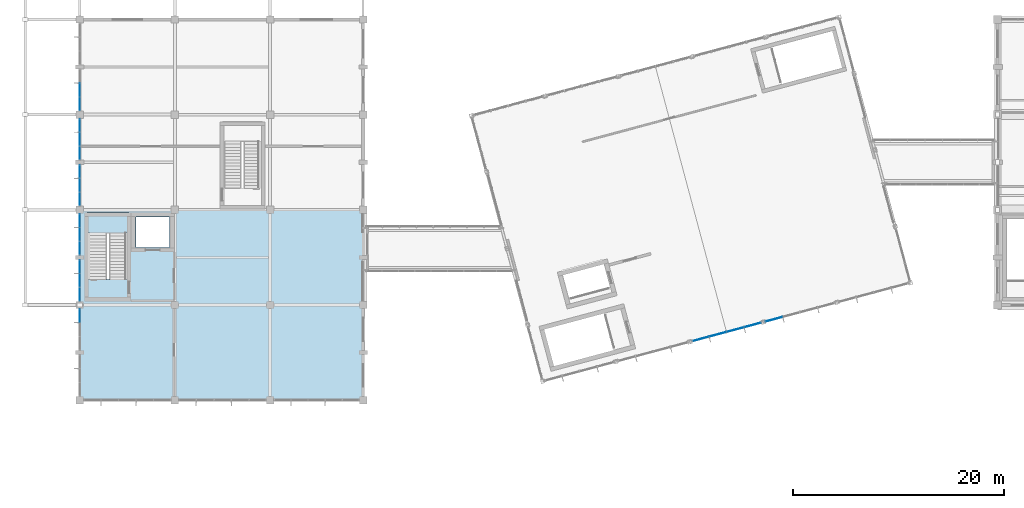
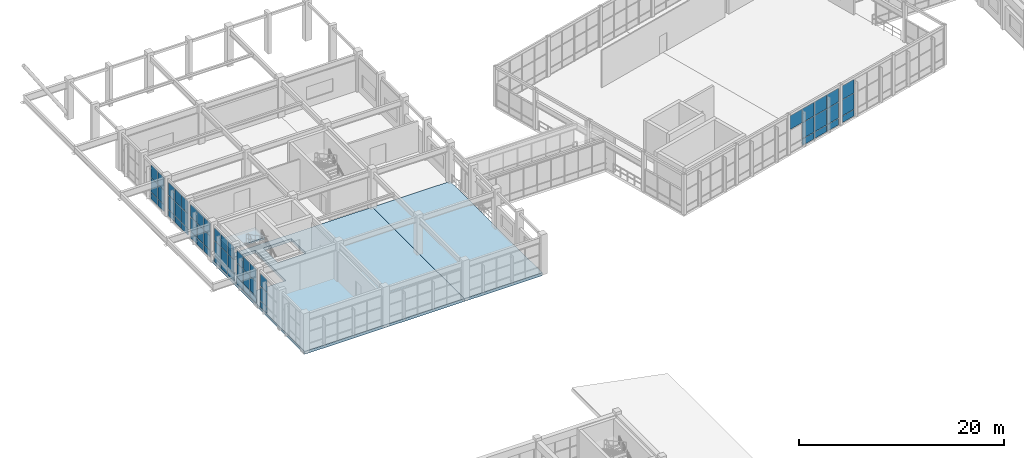
# One storey, part 72 of 99: 58 plates, 3 slabs, 9 elements without a shape of their own.
"""IFC4 building model written with IfcOpenShell, lengths in metres."""

from ifc_helpers import new_model, si_unit, direction, frame, origin, origin_2d, place, context, subcontext, project, spatial, polyline, rectangle, outline, extrude, material, layer, layer_set, type_object, element, aggregate, save


model = new_model("IFC4")

# Units and contexts
model_context = context("Model", 3, precision=1e-05, world=origin(), true_north=direction((0.0, 1.0)))
body_context = subcontext(model_context, "Body", "Model", "MODEL_VIEW")
ifc_project = project(units=[si_unit("LENGTHUNIT", "METRE"), si_unit("AREAUNIT", "SQUARE_METRE"), si_unit("VOLUMEUNIT", "CUBIC_METRE"), si_unit("PLANEANGLEUNIT", "RADIAN"), si_unit("MASSUNIT", "GRAM", prefix="KILO")], contexts=[model_context])

# Site, building, storey
site_placement = place(None, origin())
site = spatial("IfcSite", under=ifc_project, at=site_placement, CompositionType="ELEMENT")
building_placement = place(site_placement, origin())
building = spatial("IfcBuilding", under=site, at=building_placement, Name="Ventoquebrada Cableway Terminal", CompositionType="ELEMENT")
storey_placement = place(building_placement, frame((0.0, 0.0, 9.60009765625)))
storey = spatial("IfcBuildingStorey", under=building, at=storey_placement, Name="L02", CompositionType="ELEMENT", Elevation=9.60009765625)

# Curtain wall, plate
ifc_material_1 = material(Name="Anodized thermally-broken aluminium", Category="aluminium")
ifc_layer_1 = layer(ifc_material_1, 0.159912109375)
ifc_layer_set_1 = layer_set([ifc_layer_1], Name="Anodized thermally-broken aluminium")
curtain_wall_type_1 = type_object("IfcCurtainWallType", Name="CW-T17", PredefinedType="USERDEFINED", material=ifc_layer_set_1)
curtain_wall_1_placement = place(storey_placement, origin())
curtain_wall_1 = element("IfcCurtainWall", 1, at=curtain_wall_1_placement, inside=storey, type_object=curtain_wall_type_1, Name="Unitised glazed curtain wall CW-043", ObjectType="UNITISED CURTAIN WALL", PredefinedType="USERDEFINED")
ifc_material_2 = material(Name="Double low-e laminated safety glazing", Category="glass")
ifc_layer_2 = layer(ifc_material_2, 0.031982421875)
ifc_layer_set_2 = layer_set([ifc_layer_2], Name="Double low-e laminated safety glazing")
plate_type_1 = type_object("IfcPlateType", Name="CWP-GL1", PredefinedType="CURTAIN_PANEL", material=ifc_layer_set_2)
plate_1_placement = place(storey_placement, frame((8.199951171875, 75.969970703125, 2.603271484375), z_axis=(0.0, 0.0, 1.0), x_axis=(0.0, -1.0, 0.0)))
plate_1 = element("IfcPlate", 2, at=plate_1_placement, type_object=plate_type_1, Name="Vision glazing panel PN-0440", PredefinedType="CURTAIN_PANEL", context=body_context, shape_type="SweptSolid", body=[
    extrude(rectangle(XDim=1.22900390625, YDim=0.031982421875, at=origin_2d()), origin(), (0.0, 0.0, 1.0), 1.4970703125),
])

# Curtain wall, plates
curtain_wall_2_placement = place(storey_placement, origin())
curtain_wall_2 = element("IfcCurtainWall", 3, at=curtain_wall_2_placement, inside=storey, type_object=curtain_wall_type_1, Name="Unitised glazed curtain wall CW-045", ObjectType="UNITISED CURTAIN WALL", PredefinedType="USERDEFINED")
plate_2_placement = place(storey_placement, frame((8.199951171875, 84.969970703125, 2.603271484375), z_axis=(0.0, 0.0, 1.0), x_axis=(0.0, -1.0, 0.0)))
plate_2 = element("IfcPlate", 4, at=plate_2_placement, type_object=plate_type_1, Name="Vision glazing panel PN-0458", PredefinedType="CURTAIN_PANEL", context=body_context, shape_type="SweptSolid", body=[
    extrude(rectangle(XDim=1.22900390625, YDim=0.031982421875, at=origin_2d()), origin(), (0.0, 0.0, 1.0), 1.4970703125),
])
plate_3_placement = place(storey_placement, frame((8.199951171875, 83.675048828125, 0.8740234375), z_axis=(0.0, 0.0, 1.0), x_axis=(0.0, -1.0, 0.0)))
plate_3 = element("IfcPlate", 5, at=plate_3_placement, type_object=plate_type_1, Name="Vision glazing panel PN-0460", PredefinedType="CURTAIN_PANEL", context=body_context, shape_type="SweptSolid", body=[
    extrude(rectangle(XDim=1.263916015625, YDim=0.031982421875, at=origin_2d()), origin(), (0.0, 0.0, 1.0), 1.679931640625),
])
plate_4_placement = place(storey_placement, frame((8.199951171875, 82.37890625, 2.603271484375), z_axis=(0.0, 0.0, 1.0), x_axis=(0.0, -1.0, 0.0)))
plate_4 = element("IfcPlate", 6, at=plate_4_placement, type_object=plate_type_1, Name="Vision glazing panel PN-0464", PredefinedType="CURTAIN_PANEL", context=body_context, shape_type="SweptSolid", body=[
    extrude(rectangle(XDim=1.22900390625, YDim=0.031982421875, at=origin_2d()), origin(), (0.0, 0.0, 1.0), 1.4970703125),
])

curtain_wall_3_placement = place(storey_placement, origin())
curtain_wall_3 = element("IfcCurtainWall", 7, at=curtain_wall_3_placement, inside=storey, type_object=curtain_wall_type_1, Name="Unitised glazed curtain wall CW-046", ObjectType="UNITISED CURTAIN WALL", PredefinedType="USERDEFINED")
plate_5_placement = place(storey_placement, frame((8.199951171875, 80.62109375, 2.603271484375), z_axis=(0.0, 0.0, 1.0), x_axis=(0.0, -1.0, 0.0)))
plate_5 = element("IfcPlate", 8, at=plate_5_placement, type_object=plate_type_1, Name="Vision glazing panel PN-0467", PredefinedType="CURTAIN_PANEL", context=body_context, shape_type="SweptSolid", body=[
    extrude(rectangle(XDim=1.22900390625, YDim=0.031982421875, at=origin_2d()), origin(), (0.0, 0.0, 1.0), 1.4970703125),
])
plate_6_placement = place(storey_placement, frame((8.199951171875, 79.324951171875, 0.8740234375), z_axis=(0.0, 0.0, 1.0), x_axis=(0.0, -1.0, 0.0)))
plate_6 = element("IfcPlate", 9, at=plate_6_placement, type_object=plate_type_1, Name="Vision glazing panel PN-0469", PredefinedType="CURTAIN_PANEL", context=body_context, shape_type="SweptSolid", body=[
    extrude(rectangle(XDim=1.263916015625, YDim=0.031982421875, at=origin_2d()), origin(), (0.0, 0.0, 1.0), 1.679931640625),
])
plate_7_placement = place(storey_placement, frame((8.199951171875, 78.030029296875, 2.603271484375), z_axis=(0.0, 0.0, 1.0), x_axis=(0.0, -1.0, 0.0)))
plate_7 = element("IfcPlate", 10, at=plate_7_placement, type_object=plate_type_1, Name="Vision glazing panel PN-0473", PredefinedType="CURTAIN_PANEL", context=body_context, shape_type="SweptSolid", body=[
    extrude(rectangle(XDim=1.22900390625, YDim=0.031982421875, at=origin_2d()), origin(), (0.0, 0.0, 1.0), 1.4970703125),
])

curtain_wall_4_placement = place(storey_placement, origin())
curtain_wall_4 = element("IfcCurtainWall", 11, at=curtain_wall_4_placement, inside=storey, type_object=curtain_wall_type_1, Name="Unitised glazed curtain wall CW-047", ObjectType="UNITISED CURTAIN WALL", PredefinedType="USERDEFINED")
plate_8_placement = place(storey_placement, frame((8.199951171875, 93.969970703125, 2.603271484375), z_axis=(0.0, 0.0, 1.0), x_axis=(0.0, -1.0, 0.0)))
plate_8 = element("IfcPlate", 12, at=plate_8_placement, type_object=plate_type_1, Name="Vision glazing panel PN-0476", PredefinedType="CURTAIN_PANEL", context=body_context, shape_type="SweptSolid", body=[
    extrude(rectangle(XDim=1.22900390625, YDim=0.031982421875, at=origin_2d()), origin(), (0.0, 0.0, 1.0), 1.4970703125),
])
plate_9_placement = place(storey_placement, frame((8.199951171875, 92.675048828125, 0.8740234375), z_axis=(0.0, 0.0, 1.0), x_axis=(0.0, -1.0, 0.0)))
plate_9 = element("IfcPlate", 13, at=plate_9_placement, type_object=plate_type_1, Name="Vision glazing panel PN-0478", PredefinedType="CURTAIN_PANEL", context=body_context, shape_type="SweptSolid", body=[
    extrude(rectangle(XDim=1.263916015625, YDim=0.031982421875, at=origin_2d()), origin(), (0.0, 0.0, 1.0), 1.679931640625),
])
plate_10_placement = place(storey_placement, frame((8.199951171875, 91.37890625, 2.603271484375), z_axis=(0.0, 0.0, 1.0), x_axis=(0.0, -1.0, 0.0)))
plate_10 = element("IfcPlate", 14, at=plate_10_placement, type_object=plate_type_1, Name="Vision glazing panel PN-0482", PredefinedType="CURTAIN_PANEL", context=body_context, shape_type="SweptSolid", body=[
    extrude(rectangle(XDim=1.22900390625, YDim=0.031982421875, at=origin_2d()), origin(), (0.0, 0.0, 1.0), 1.4970703125),
])

curtain_wall_5_placement = place(storey_placement, origin())
curtain_wall_5 = element("IfcCurtainWall", 15, at=curtain_wall_5_placement, inside=storey, type_object=curtain_wall_type_1, Name="Unitised glazed curtain wall CW-048", ObjectType="UNITISED CURTAIN WALL", PredefinedType="USERDEFINED")
plate_11_placement = place(storey_placement, frame((8.199951171875, 89.62109375, 2.603271484375), z_axis=(0.0, 0.0, 1.0), x_axis=(0.0, -1.0, 0.0)))
plate_11 = element("IfcPlate", 16, at=plate_11_placement, type_object=plate_type_1, Name="Vision glazing panel PN-0485", PredefinedType="CURTAIN_PANEL", context=body_context, shape_type="SweptSolid", body=[
    extrude(rectangle(XDim=1.22900390625, YDim=0.031982421875, at=origin_2d()), origin(), (0.0, 0.0, 1.0), 1.4970703125),
])
plate_12_placement = place(storey_placement, frame((8.199951171875, 88.324951171875, 0.8740234375), z_axis=(0.0, 0.0, 1.0), x_axis=(0.0, -1.0, 0.0)))
plate_12 = element("IfcPlate", 17, at=plate_12_placement, type_object=plate_type_1, Name="Vision glazing panel PN-0487", PredefinedType="CURTAIN_PANEL", context=body_context, shape_type="SweptSolid", body=[
    extrude(rectangle(XDim=1.263916015625, YDim=0.031982421875, at=origin_2d()), origin(), (0.0, 0.0, 1.0), 1.679931640625),
])
plate_13_placement = place(storey_placement, frame((8.199951171875, 87.030029296875, 2.603271484375), z_axis=(0.0, 0.0, 1.0), x_axis=(0.0, -1.0, 0.0)))
plate_13 = element("IfcPlate", 18, at=plate_13_placement, type_object=plate_type_1, Name="Vision glazing panel PN-0491", PredefinedType="CURTAIN_PANEL", context=body_context, shape_type="SweptSolid", body=[
    extrude(rectangle(XDim=1.22900390625, YDim=0.031982421875, at=origin_2d()), origin(), (0.0, 0.0, 1.0), 1.4970703125),
])

curtain_wall_6_placement = place(storey_placement, origin())
curtain_wall_6 = element("IfcCurtainWall", 19, at=curtain_wall_6_placement, inside=storey, type_object=curtain_wall_type_1, Name="Unitised glazed curtain wall CW-050", ObjectType="UNITISED CURTAIN WALL", PredefinedType="USERDEFINED")
plate_14_placement = place(storey_placement, frame((8.199951171875, 97.324951171875, 0.8740234375), z_axis=(0.0, 0.0, 1.0), x_axis=(0.0, -1.0, 0.0)))
plate_14 = element("IfcPlate", 20, at=plate_14_placement, type_object=plate_type_1, Name="Vision glazing panel PN-0505", PredefinedType="CURTAIN_PANEL", context=body_context, shape_type="SweptSolid", body=[
    extrude(rectangle(XDim=1.263916015625, YDim=0.031982421875, at=origin_2d()), origin(), (0.0, 0.0, 1.0), 1.679931640625),
])
plate_15_placement = place(storey_placement, frame((8.199951171875, 96.030029296875, 2.603271484375), z_axis=(0.0, 0.0, 1.0), x_axis=(0.0, -1.0, 0.0)))
plate_15 = element("IfcPlate", 21, at=plate_15_placement, type_object=plate_type_1, Name="Vision glazing panel PN-0509", PredefinedType="CURTAIN_PANEL", context=body_context, shape_type="SweptSolid", body=[
    extrude(rectangle(XDim=1.22900390625, YDim=0.031982421875, at=origin_2d()), origin(), (0.0, 0.0, 1.0), 1.4970703125),
])

ifc_layer_3 = layer(ifc_material_1, 0.159912109375)
ifc_layer_set_3 = layer_set([ifc_layer_3], Name="Anodized thermally-broken aluminium")
curtain_wall_type_2 = type_object("IfcCurtainWallType", Name="CW-T40", PredefinedType="USERDEFINED", material=ifc_layer_set_3)
curtain_wall_7_placement = place(storey_placement, origin())
curtain_wall_7 = element("IfcCurtainWall", 22, at=curtain_wall_7_placement, inside=storey, type_object=curtain_wall_type_2, Name="Unitised glazed curtain wall CW-103", ObjectType="UNITISED CURTAIN WALL", PredefinedType="USERDEFINED")
plate_16_placement = place(storey_placement, frame((66.904052734375, 73.783935546875, 2.808837890625), z_axis=(0.0, 0.0, 1.0), x_axis=(0.965939376699, 0.25876846899, 0.0)))
plate_16 = element("IfcPlate", 23, at=plate_16_placement, type_object=plate_type_1, Name="Vision glazing panel PN-1073", PredefinedType="CURTAIN_PANEL", context=body_context, shape_type="SweptSolid", body=[
    extrude(rectangle(XDim=1.615966796875, YDim=0.031982421875, at=origin_2d()), origin(), (0.0, 0.0, 1.0), 1.6220703125),
])
plate_17_placement = place(storey_placement, frame((68.5380859375, 74.221923828125, 0.87451171875), z_axis=(0.0, 0.0, 1.0), x_axis=(0.965939376699, 0.25876846899, 0.0)))
plate_17 = element("IfcPlate", 24, at=plate_17_placement, type_object=plate_type_1, Name="Vision glazing panel PN-1075", PredefinedType="CURTAIN_PANEL", context=body_context, shape_type="SweptSolid", body=[
    extrude(rectangle(XDim=1.65087890625, YDim=0.031982421875, at=origin_2d()), origin(), (0.0, 0.0, 1.0), 1.885009765625),
])
plate_18_placement = place(storey_placement, frame((70.19091796875, 74.6640625, 2.808837890625), z_axis=(0.0, 0.0, 1.0), x_axis=(0.965939376699, 0.25876846899, 0.0)))
plate_18 = element("IfcPlate", 25, at=plate_18_placement, type_object=plate_type_1, Name="Vision glazing panel PN-1079", PredefinedType="CURTAIN_PANEL", context=body_context, shape_type="SweptSolid", body=[
    extrude(rectangle(XDim=1.65087890625, YDim=0.031982421875, at=origin_2d()), origin(), (0.0, 0.0, 1.0), 1.6220703125),
])
plate_19_placement = place(storey_placement, frame((71.825927734375, 75.10302734375, 0.87451171875), z_axis=(0.0, 0.0, 1.0), x_axis=(0.965939376699, 0.25876846899, 0.0)))
plate_19 = element("IfcPlate", 26, at=plate_19_placement, type_object=plate_type_1, Name="Vision glazing panel PN-1081", PredefinedType="CURTAIN_PANEL", context=body_context, shape_type="SweptSolid", body=[
    extrude(rectangle(XDim=1.615966796875, YDim=0.031982421875, at=origin_2d()), origin(), (0.0, 0.0, 1.0), 1.885009765625),
])

# Curtain wall, plate
curtain_wall_8_placement = place(storey_placement, origin())
curtain_wall_8 = element("IfcCurtainWall", 27, at=curtain_wall_8_placement, inside=storey, type_object=curtain_wall_type_2, Name="Unitised glazed curtain wall CW-104", ObjectType="UNITISED CURTAIN WALL", PredefinedType="USERDEFINED")
plate_20_placement = place(storey_placement, frame((73.85791015625, 75.64697265625, 2.808837890625), z_axis=(0.0, 0.0, 1.0), x_axis=(0.965975498177, 0.258633595888, 0.0)))
plate_20 = element("IfcPlate", 28, at=plate_20_placement, type_object=plate_type_1, Name="Vision glazing panel PN-1085", PredefinedType="CURTAIN_PANEL", context=body_context, shape_type="SweptSolid", body=[
    extrude(rectangle(XDim=1.615966796875, YDim=0.031982421875, at=origin_2d()), origin(), (0.0, 0.0, 1.0), 1.6220703125),
])

# Plate
ifc_layer_4 = layer(ifc_material_2, 0.0380859375)
ifc_layer_set_4 = layer_set([ifc_layer_4], Name="Double low-e laminated safety glazing")
plate_type_2 = type_object("IfcPlateType", Name="CWP-GL2", PredefinedType="CURTAIN_PANEL", material=ifc_layer_set_4)
plate_21_placement = place(storey_placement, frame((8.199951171875, 75.969970703125, 0.8740234375), z_axis=(0.0, 0.0, 1.0), x_axis=(0.0, -1.0, 0.0)))
plate_21 = element("IfcPlate", 29, at=plate_21_placement, type_object=plate_type_2, Name="Vision glazing panel PN-0439", PredefinedType="CURTAIN_PANEL", context=body_context, shape_type="SweptSolid", body=[
    extrude(rectangle(XDim=1.22900390625, YDim=0.0380859375, at=origin_2d()), origin(), (0.0, 0.0, 1.0), 1.679931640625),
])

plate_22_placement = place(storey_placement, frame((8.199951171875, 84.969970703125, 0.8740234375), z_axis=(0.0, 0.0, 1.0), x_axis=(0.0, -1.0, 0.0)))
plate_22 = element("IfcPlate", 30, at=plate_22_placement, type_object=plate_type_2, Name="Vision glazing panel PN-0457", PredefinedType="CURTAIN_PANEL", context=body_context, shape_type="SweptSolid", body=[
    extrude(rectangle(XDim=1.22900390625, YDim=0.0380859375, at=origin_2d()), origin(), (0.0, 0.0, 1.0), 1.679931640625),
])

plate_23_placement = place(storey_placement, frame((8.199951171875, 83.675048828125, 2.603271484375), z_axis=(0.0, 0.0, 1.0), x_axis=(0.0, -1.0, 0.0)))
plate_23 = element("IfcPlate", 31, at=plate_23_placement, type_object=plate_type_2, Name="Vision glazing panel PN-0461", PredefinedType="CURTAIN_PANEL", context=body_context, shape_type="SweptSolid", body=[
    extrude(rectangle(XDim=1.263916015625, YDim=0.0380859375, at=origin_2d()), origin(), (0.0, 0.0, 1.0), 1.4970703125),
])

plate_24_placement = place(storey_placement, frame((8.199951171875, 82.37890625, 0.8740234375), z_axis=(0.0, 0.0, 1.0), x_axis=(0.0, -1.0, 0.0)))
plate_24 = element("IfcPlate", 32, at=plate_24_placement, type_object=plate_type_2, Name="Vision glazing panel PN-0463", PredefinedType="CURTAIN_PANEL", context=body_context, shape_type="SweptSolid", body=[
    extrude(rectangle(XDim=1.22900390625, YDim=0.0380859375, at=origin_2d()), origin(), (0.0, 0.0, 1.0), 1.679931640625),
])

plate_25_placement = place(storey_placement, frame((8.199951171875, 80.62109375, 0.8740234375), z_axis=(0.0, 0.0, 1.0), x_axis=(0.0, -1.0, 0.0)))
plate_25 = element("IfcPlate", 33, at=plate_25_placement, type_object=plate_type_2, Name="Vision glazing panel PN-0466", PredefinedType="CURTAIN_PANEL", context=body_context, shape_type="SweptSolid", body=[
    extrude(rectangle(XDim=1.22900390625, YDim=0.0380859375, at=origin_2d()), origin(), (0.0, 0.0, 1.0), 1.679931640625),
])

plate_26_placement = place(storey_placement, frame((8.199951171875, 79.324951171875, 2.603271484375), z_axis=(0.0, 0.0, 1.0), x_axis=(0.0, -1.0, 0.0)))
plate_26 = element("IfcPlate", 34, at=plate_26_placement, type_object=plate_type_2, Name="Vision glazing panel PN-0470", PredefinedType="CURTAIN_PANEL", context=body_context, shape_type="SweptSolid", body=[
    extrude(rectangle(XDim=1.263916015625, YDim=0.0380859375, at=origin_2d()), origin(), (0.0, 0.0, 1.0), 1.4970703125),
])

plate_27_placement = place(storey_placement, frame((8.199951171875, 78.030029296875, 0.8740234375), z_axis=(0.0, 0.0, 1.0), x_axis=(0.0, -1.0, 0.0)))
plate_27 = element("IfcPlate", 35, at=plate_27_placement, type_object=plate_type_2, Name="Vision glazing panel PN-0472", PredefinedType="CURTAIN_PANEL", context=body_context, shape_type="SweptSolid", body=[
    extrude(rectangle(XDim=1.22900390625, YDim=0.0380859375, at=origin_2d()), origin(), (0.0, 0.0, 1.0), 1.679931640625),
])

plate_28_placement = place(storey_placement, frame((8.199951171875, 93.969970703125, 0.8740234375), z_axis=(0.0, 0.0, 1.0), x_axis=(0.0, -1.0, 0.0)))
plate_28 = element("IfcPlate", 36, at=plate_28_placement, type_object=plate_type_2, Name="Vision glazing panel PN-0475", PredefinedType="CURTAIN_PANEL", context=body_context, shape_type="SweptSolid", body=[
    extrude(rectangle(XDim=1.22900390625, YDim=0.0380859375, at=origin_2d()), origin(), (0.0, 0.0, 1.0), 1.679931640625),
])

plate_29_placement = place(storey_placement, frame((8.199951171875, 92.675048828125, 2.603271484375), z_axis=(0.0, 0.0, 1.0), x_axis=(0.0, -1.0, 0.0)))
plate_29 = element("IfcPlate", 37, at=plate_29_placement, type_object=plate_type_2, Name="Vision glazing panel PN-0479", PredefinedType="CURTAIN_PANEL", context=body_context, shape_type="SweptSolid", body=[
    extrude(rectangle(XDim=1.263916015625, YDim=0.0380859375, at=origin_2d()), origin(), (0.0, 0.0, 1.0), 1.4970703125),
])

plate_30_placement = place(storey_placement, frame((8.199951171875, 91.37890625, 0.8740234375), z_axis=(0.0, 0.0, 1.0), x_axis=(0.0, -1.0, 0.0)))
plate_30 = element("IfcPlate", 38, at=plate_30_placement, type_object=plate_type_2, Name="Vision glazing panel PN-0481", PredefinedType="CURTAIN_PANEL", context=body_context, shape_type="SweptSolid", body=[
    extrude(rectangle(XDim=1.22900390625, YDim=0.0380859375, at=origin_2d()), origin(), (0.0, 0.0, 1.0), 1.679931640625),
])

plate_31_placement = place(storey_placement, frame((8.199951171875, 89.62109375, 0.8740234375), z_axis=(0.0, 0.0, 1.0), x_axis=(0.0, -1.0, 0.0)))
plate_31 = element("IfcPlate", 39, at=plate_31_placement, type_object=plate_type_2, Name="Vision glazing panel PN-0484", PredefinedType="CURTAIN_PANEL", context=body_context, shape_type="SweptSolid", body=[
    extrude(rectangle(XDim=1.22900390625, YDim=0.0380859375, at=origin_2d()), origin(), (0.0, 0.0, 1.0), 1.679931640625),
])

plate_32_placement = place(storey_placement, frame((8.199951171875, 88.324951171875, 2.603271484375), z_axis=(0.0, 0.0, 1.0), x_axis=(0.0, -1.0, 0.0)))
plate_32 = element("IfcPlate", 40, at=plate_32_placement, type_object=plate_type_2, Name="Vision glazing panel PN-0488", PredefinedType="CURTAIN_PANEL", context=body_context, shape_type="SweptSolid", body=[
    extrude(rectangle(XDim=1.263916015625, YDim=0.0380859375, at=origin_2d()), origin(), (0.0, 0.0, 1.0), 1.4970703125),
])

plate_33_placement = place(storey_placement, frame((8.199951171875, 87.030029296875, 0.8740234375), z_axis=(0.0, 0.0, 1.0), x_axis=(0.0, -1.0, 0.0)))
plate_33 = element("IfcPlate", 41, at=plate_33_placement, type_object=plate_type_2, Name="Vision glazing panel PN-0490", PredefinedType="CURTAIN_PANEL", context=body_context, shape_type="SweptSolid", body=[
    extrude(rectangle(XDim=1.22900390625, YDim=0.0380859375, at=origin_2d()), origin(), (0.0, 0.0, 1.0), 1.679931640625),
])

plate_34_placement = place(storey_placement, frame((8.199951171875, 97.324951171875, 2.603271484375), z_axis=(0.0, 0.0, 1.0), x_axis=(0.0, -1.0, 0.0)))
plate_34 = element("IfcPlate", 42, at=plate_34_placement, type_object=plate_type_2, Name="Vision glazing panel PN-0506", PredefinedType="CURTAIN_PANEL", context=body_context, shape_type="SweptSolid", body=[
    extrude(rectangle(XDim=1.263916015625, YDim=0.0380859375, at=origin_2d()), origin(), (0.0, 0.0, 1.0), 1.4970703125),
])

plate_35_placement = place(storey_placement, frame((8.199951171875, 96.030029296875, 0.8740234375), z_axis=(0.0, 0.0, 1.0), x_axis=(0.0, -1.0, 0.0)))
plate_35 = element("IfcPlate", 43, at=plate_35_placement, type_object=plate_type_2, Name="Vision glazing panel PN-0508", PredefinedType="CURTAIN_PANEL", context=body_context, shape_type="SweptSolid", body=[
    extrude(rectangle(XDim=1.22900390625, YDim=0.0380859375, at=origin_2d()), origin(), (0.0, 0.0, 1.0), 1.679931640625),
])

plate_36_placement = place(storey_placement, frame((68.5380859375, 74.221923828125, 2.808837890625), z_axis=(0.0, 0.0, 1.0), x_axis=(0.965939376699, 0.25876846899, 0.0)))
plate_36 = element("IfcPlate", 44, at=plate_36_placement, type_object=plate_type_2, Name="Vision glazing panel PN-1076", PredefinedType="CURTAIN_PANEL", context=body_context, shape_type="SweptSolid", body=[
    extrude(rectangle(XDim=1.65087890625, YDim=0.0380859375, at=origin_2d()), origin(), (0.0, 0.0, 1.0), 1.6220703125),
])

plate_37_placement = place(storey_placement, frame((70.19091796875, 74.6640625, 0.87451171875), z_axis=(0.0, 0.0, 1.0), x_axis=(0.965939376699, 0.25876846899, 0.0)))
plate_37 = element("IfcPlate", 45, at=plate_37_placement, type_object=plate_type_2, Name="Vision glazing panel PN-1078", PredefinedType="CURTAIN_PANEL", context=body_context, shape_type="SweptSolid", body=[
    extrude(rectangle(XDim=1.65087890625, YDim=0.0380859375, at=origin_2d()), origin(), (0.0, 0.0, 1.0), 1.885009765625),
])

plate_38_placement = place(storey_placement, frame((71.825927734375, 75.10302734375, 2.808837890625), z_axis=(0.0, 0.0, 1.0), x_axis=(0.965939376699, 0.25876846899, 0.0)))
plate_38 = element("IfcPlate", 46, at=plate_38_placement, type_object=plate_type_2, Name="Vision glazing panel PN-1082", PredefinedType="CURTAIN_PANEL", context=body_context, shape_type="SweptSolid", body=[
    extrude(rectangle(XDim=1.615966796875, YDim=0.0380859375, at=origin_2d()), origin(), (0.0, 0.0, 1.0), 1.6220703125),
])

plate_39_placement = place(storey_placement, frame((73.85791015625, 75.64697265625, 0.87451171875), z_axis=(0.0, 0.0, 1.0), x_axis=(0.965975498177, 0.258633595888, 0.0)))
plate_39 = element("IfcPlate", 47, at=plate_39_placement, type_object=plate_type_2, Name="Vision glazing panel PN-1084", PredefinedType="CURTAIN_PANEL", context=body_context, shape_type="SweptSolid", body=[
    extrude(rectangle(XDim=1.615966796875, YDim=0.0380859375, at=origin_2d()), origin(), (0.0, 0.0, 1.0), 1.885009765625),
])

ifc_material_3 = material(Name="Insulated aluminium spandrel cassette", Category="aluminium")
ifc_layer_5 = layer(ifc_material_3, 0.044921875)
ifc_layer_set_5 = layer_set([ifc_layer_5], Name="Insulated aluminium spandrel cassette")
plate_type_3 = type_object("IfcPlateType", Name="CWP-SP1", PredefinedType="CURTAIN_PANEL", material=ifc_layer_set_5)
plate_40_placement = place(storey_placement, frame((8.199951171875, 75.969970703125, 0.059814453125), z_axis=(0.0, 0.0, 1.0), x_axis=(0.0, -1.0, 0.0)))
plate_40 = element("IfcPlate", 48, at=plate_40_placement, type_object=plate_type_3, Name="Insulated spandrel panel PN-0438", PredefinedType="CURTAIN_PANEL", context=body_context, shape_type="SweptSolid", body=[
    extrude(rectangle(XDim=1.22900390625, YDim=0.044921875, at=origin_2d()), origin(), (0.0, 0.0, 1.0), 0.76611328125),
])

aggregate(curtain_wall_1, [plate_40, plate_21, plate_1])

plate_41_placement = place(storey_placement, frame((8.199951171875, 84.969970703125, 0.059814453125), z_axis=(0.0, 0.0, 1.0), x_axis=(0.0, -1.0, 0.0)))
plate_41 = element("IfcPlate", 49, at=plate_41_placement, type_object=plate_type_3, Name="Insulated spandrel panel PN-0456", PredefinedType="CURTAIN_PANEL", context=body_context, shape_type="SweptSolid", body=[
    extrude(rectangle(XDim=1.22900390625, YDim=0.044921875, at=origin_2d()), origin(), (0.0, 0.0, 1.0), 0.76611328125),
])

plate_42_placement = place(storey_placement, frame((8.199951171875, 83.675048828125, 0.059814453125), z_axis=(0.0, 0.0, 1.0), x_axis=(0.0, -1.0, 0.0)))
plate_42 = element("IfcPlate", 50, at=plate_42_placement, type_object=plate_type_3, Name="Insulated spandrel panel PN-0459", PredefinedType="CURTAIN_PANEL", context=body_context, shape_type="SweptSolid", body=[
    extrude(rectangle(XDim=1.263916015625, YDim=0.044921875, at=origin_2d()), origin(), (0.0, 0.0, 1.0), 0.76611328125),
])

plate_43_placement = place(storey_placement, frame((8.199951171875, 82.37890625, 0.059814453125), z_axis=(0.0, 0.0, 1.0), x_axis=(0.0, -1.0, 0.0)))
plate_43 = element("IfcPlate", 51, at=plate_43_placement, type_object=plate_type_3, Name="Insulated spandrel panel PN-0462", PredefinedType="CURTAIN_PANEL", context=body_context, shape_type="SweptSolid", body=[
    extrude(rectangle(XDim=1.22900390625, YDim=0.044921875, at=origin_2d()), origin(), (0.0, 0.0, 1.0), 0.76611328125),
])

aggregate(curtain_wall_2, [plate_41, plate_22, plate_2, plate_42, plate_3, plate_23, plate_43, plate_24, plate_4])

plate_44_placement = place(storey_placement, frame((8.199951171875, 80.62109375, 0.059814453125), z_axis=(0.0, 0.0, 1.0), x_axis=(0.0, -1.0, 0.0)))
plate_44 = element("IfcPlate", 52, at=plate_44_placement, type_object=plate_type_3, Name="Insulated spandrel panel PN-0465", PredefinedType="CURTAIN_PANEL", context=body_context, shape_type="SweptSolid", body=[
    extrude(rectangle(XDim=1.22900390625, YDim=0.044921875, at=origin_2d()), origin(), (0.0, 0.0, 1.0), 0.76611328125),
])

plate_45_placement = place(storey_placement, frame((8.199951171875, 79.324951171875, 0.059814453125), z_axis=(0.0, 0.0, 1.0), x_axis=(0.0, -1.0, 0.0)))
plate_45 = element("IfcPlate", 53, at=plate_45_placement, type_object=plate_type_3, Name="Insulated spandrel panel PN-0468", PredefinedType="CURTAIN_PANEL", context=body_context, shape_type="SweptSolid", body=[
    extrude(rectangle(XDim=1.263916015625, YDim=0.044921875, at=origin_2d()), origin(), (0.0, 0.0, 1.0), 0.76611328125),
])

plate_46_placement = place(storey_placement, frame((8.199951171875, 78.030029296875, 0.059814453125), z_axis=(0.0, 0.0, 1.0), x_axis=(0.0, -1.0, 0.0)))
plate_46 = element("IfcPlate", 54, at=plate_46_placement, type_object=plate_type_3, Name="Insulated spandrel panel PN-0471", PredefinedType="CURTAIN_PANEL", context=body_context, shape_type="SweptSolid", body=[
    extrude(rectangle(XDim=1.22900390625, YDim=0.044921875, at=origin_2d()), origin(), (0.0, 0.0, 1.0), 0.76611328125),
])

aggregate(curtain_wall_3, [plate_44, plate_25, plate_5, plate_45, plate_6, plate_26, plate_46, plate_27, plate_7])

plate_47_placement = place(storey_placement, frame((8.199951171875, 93.969970703125, 0.059814453125), z_axis=(0.0, 0.0, 1.0), x_axis=(0.0, -1.0, 0.0)))
plate_47 = element("IfcPlate", 55, at=plate_47_placement, type_object=plate_type_3, Name="Insulated spandrel panel PN-0474", PredefinedType="CURTAIN_PANEL", context=body_context, shape_type="SweptSolid", body=[
    extrude(rectangle(XDim=1.22900390625, YDim=0.044921875, at=origin_2d()), origin(), (0.0, 0.0, 1.0), 0.76611328125),
])

plate_48_placement = place(storey_placement, frame((8.199951171875, 92.675048828125, 0.059814453125), z_axis=(0.0, 0.0, 1.0), x_axis=(0.0, -1.0, 0.0)))
plate_48 = element("IfcPlate", 56, at=plate_48_placement, type_object=plate_type_3, Name="Insulated spandrel panel PN-0477", PredefinedType="CURTAIN_PANEL", context=body_context, shape_type="SweptSolid", body=[
    extrude(rectangle(XDim=1.263916015625, YDim=0.044921875, at=origin_2d()), origin(), (0.0, 0.0, 1.0), 0.76611328125),
])

plate_49_placement = place(storey_placement, frame((8.199951171875, 91.37890625, 0.059814453125), z_axis=(0.0, 0.0, 1.0), x_axis=(0.0, -1.0, 0.0)))
plate_49 = element("IfcPlate", 57, at=plate_49_placement, type_object=plate_type_3, Name="Insulated spandrel panel PN-0480", PredefinedType="CURTAIN_PANEL", context=body_context, shape_type="SweptSolid", body=[
    extrude(rectangle(XDim=1.22900390625, YDim=0.044921875, at=origin_2d()), origin(), (0.0, 0.0, 1.0), 0.76611328125),
])

aggregate(curtain_wall_4, [plate_47, plate_28, plate_8, plate_48, plate_9, plate_29, plate_49, plate_30, plate_10])

plate_50_placement = place(storey_placement, frame((8.199951171875, 89.62109375, 0.059814453125), z_axis=(0.0, 0.0, 1.0), x_axis=(0.0, -1.0, 0.0)))
plate_50 = element("IfcPlate", 58, at=plate_50_placement, type_object=plate_type_3, Name="Insulated spandrel panel PN-0483", PredefinedType="CURTAIN_PANEL", context=body_context, shape_type="SweptSolid", body=[
    extrude(rectangle(XDim=1.22900390625, YDim=0.044921875, at=origin_2d()), origin(), (0.0, 0.0, 1.0), 0.76611328125),
])

plate_51_placement = place(storey_placement, frame((8.199951171875, 88.324951171875, 0.059814453125), z_axis=(0.0, 0.0, 1.0), x_axis=(0.0, -1.0, 0.0)))
plate_51 = element("IfcPlate", 59, at=plate_51_placement, type_object=plate_type_3, Name="Insulated spandrel panel PN-0486", PredefinedType="CURTAIN_PANEL", context=body_context, shape_type="SweptSolid", body=[
    extrude(rectangle(XDim=1.263916015625, YDim=0.044921875, at=origin_2d()), origin(), (0.0, 0.0, 1.0), 0.76611328125),
])

plate_52_placement = place(storey_placement, frame((8.199951171875, 87.030029296875, 0.059814453125), z_axis=(0.0, 0.0, 1.0), x_axis=(0.0, -1.0, 0.0)))
plate_52 = element("IfcPlate", 60, at=plate_52_placement, type_object=plate_type_3, Name="Insulated spandrel panel PN-0489", PredefinedType="CURTAIN_PANEL", context=body_context, shape_type="SweptSolid", body=[
    extrude(rectangle(XDim=1.22900390625, YDim=0.044921875, at=origin_2d()), origin(), (0.0, 0.0, 1.0), 0.76611328125),
])

aggregate(curtain_wall_5, [plate_50, plate_31, plate_11, plate_51, plate_12, plate_32, plate_52, plate_33, plate_13])

plate_53_placement = place(storey_placement, frame((8.199951171875, 97.324951171875, 0.059814453125), z_axis=(0.0, 0.0, 1.0), x_axis=(0.0, -1.0, 0.0)))
plate_53 = element("IfcPlate", 61, at=plate_53_placement, type_object=plate_type_3, Name="Insulated spandrel panel PN-0504", PredefinedType="CURTAIN_PANEL", context=body_context, shape_type="SweptSolid", body=[
    extrude(rectangle(XDim=1.263916015625, YDim=0.044921875, at=origin_2d()), origin(), (0.0, 0.0, 1.0), 0.76611328125),
])

plate_54_placement = place(storey_placement, frame((8.199951171875, 96.030029296875, 0.059814453125), z_axis=(0.0, 0.0, 1.0), x_axis=(0.0, -1.0, 0.0)))
plate_54 = element("IfcPlate", 62, at=plate_54_placement, type_object=plate_type_3, Name="Insulated spandrel panel PN-0507", PredefinedType="CURTAIN_PANEL", context=body_context, shape_type="SweptSolid", body=[
    extrude(rectangle(XDim=1.22900390625, YDim=0.044921875, at=origin_2d()), origin(), (0.0, 0.0, 1.0), 0.76611328125),
])

aggregate(curtain_wall_6, [plate_53, plate_14, plate_34, plate_54, plate_35, plate_15])

plate_55_placement = place(storey_placement, frame((68.5380859375, 74.221923828125, 0.059814453125), z_axis=(0.0, 0.0, 1.0), x_axis=(0.965939376699, 0.25876846899, 0.0)))
plate_55 = element("IfcPlate", 63, at=plate_55_placement, type_object=plate_type_3, Name="Insulated spandrel panel PN-1074", PredefinedType="CURTAIN_PANEL", context=body_context, shape_type="SweptSolid", body=[
    extrude(rectangle(XDim=1.65087890625, YDim=0.044921875, at=origin_2d()), origin(), (0.0, 0.0, 1.0), 0.76611328125),
])

plate_56_placement = place(storey_placement, frame((70.19091796875, 74.6640625, 0.059814453125), z_axis=(0.0, 0.0, 1.0), x_axis=(0.965939376699, 0.25876846899, 0.0)))
plate_56 = element("IfcPlate", 64, at=plate_56_placement, type_object=plate_type_3, Name="Insulated spandrel panel PN-1077", PredefinedType="CURTAIN_PANEL", context=body_context, shape_type="SweptSolid", body=[
    extrude(rectangle(XDim=1.65087890625, YDim=0.044921875, at=origin_2d()), origin(), (0.0, 0.0, 1.0), 0.76611328125),
])

plate_57_placement = place(storey_placement, frame((71.825927734375, 75.10302734375, 0.059814453125), z_axis=(0.0, 0.0, 1.0), x_axis=(0.965939376699, 0.25876846899, 0.0)))
plate_57 = element("IfcPlate", 65, at=plate_57_placement, type_object=plate_type_3, Name="Insulated spandrel panel PN-1080", PredefinedType="CURTAIN_PANEL", context=body_context, shape_type="SweptSolid", body=[
    extrude(rectangle(XDim=1.615966796875, YDim=0.044921875, at=origin_2d()), origin(), (0.0, 0.0, 1.0), 0.76611328125),
])

aggregate(curtain_wall_7, [plate_16, plate_55, plate_17, plate_36, plate_56, plate_37, plate_18, plate_57, plate_19, plate_38])

plate_58_placement = place(storey_placement, frame((73.85791015625, 75.64697265625, 0.059814453125), z_axis=(0.0, 0.0, 1.0), x_axis=(0.965975498177, 0.258633595888, 0.0)))
plate_58 = element("IfcPlate", 66, at=plate_58_placement, type_object=plate_type_3, Name="Insulated spandrel panel PN-1083", PredefinedType="CURTAIN_PANEL", context=body_context, shape_type="SweptSolid", body=[
    extrude(rectangle(XDim=1.615966796875, YDim=0.044921875, at=origin_2d()), origin(), (0.0, 0.0, 1.0), 0.76611328125),
])

aggregate(curtain_wall_8, [plate_58, plate_39, plate_20])

# Slabs
ifc_material_4 = material(Name="Concrete C40/50", Category="concrete")
ifc_layer_6 = layer(ifc_material_4, 0.3349609375)
ifc_layer_set_6 = layer_set([ifc_layer_6], Name="Concrete C40/50")
slab_type_1 = type_object("IfcSlabType", Name="SL-FL3", PredefinedType="FLOOR", material=ifc_layer_set_6)
slab_1_placement = place(storey_placement, frame((0.0, 0.0, -0.335205078125)))
element("IfcSlab", 67, at=slab_1_placement, inside=storey, type_object=slab_type_1, Name="Reinforced concrete floor slab SL-023", PredefinedType="FLOOR", context=body_context, shape_type="SweptSolid", body=[
    extrude(outline(polyline([(8.199951171875, 68.0), (26.199951171875, 68.0), (26.199951171875, 86.0), (8.199951171875, 86.0), (8.199951171875, 68.0)]), holes=[polyline([(12.64990234375, 85.35009765625), (12.64990234375, 79.389892578125), (9.050048828125, 79.389892578125), (9.050048828125, 85.35009765625), (12.64990234375, 85.35009765625)]), polyline([(16.699951171875, 82.449951171875), (13.5, 82.449951171875), (13.5, 85.300048828125), (16.699951171875, 85.300048828125), (16.699951171875, 82.449951171875)])]), origin(), (0.0, 0.0, 1.0), 0.335205078125),
])
slab_2_placement = place(storey_placement, frame((0.0, 0.0, -0.335205078125)))
element("IfcSlab", 68, at=slab_2_placement, inside=storey, type_object=slab_type_1, Name="Reinforced concrete floor slab SL-025", PredefinedType="FLOOR", context=body_context, shape_type="SweptSolid", body=[
    extrude(outline(polyline([(35.0, 68.0), (35.0, 86.0), (26.199951171875, 86.0), (26.199951171875, 68.0), (35.0, 68.0)])), origin(), (0.0, 0.0, 1.0), 0.335205078125),
])

# Stair, slab
stair_type = type_object("IfcStairType", Name="ST-T03", PredefinedType="HALF_TURN_STAIR", material=ifc_material_4)
stair_placement = place(storey_placement, origin())
stair = element("IfcStair", 69, at=stair_placement, inside=storey, type_object=stair_type, Name="Protected half-turn stair ST-15", PredefinedType="HALF_TURN_STAIR")
ifc_layer_7 = layer(ifc_material_4, 0.219970703125)
ifc_layer_set_7 = layer_set([ifc_layer_7], Name="Concrete C40/50")
slab_type_2 = type_object("IfcSlabType", Name="SL-LD1", PredefinedType="LANDING", material=ifc_layer_set_7)
slab_3_placement = place(storey_placement, frame((0.0, 0.0, 2.179931640625)))
slab_3 = element("IfcSlab", 70, at=slab_3_placement, type_object=slab_type_2, Name="Intermediate stair landing LDG-015", PredefinedType="LANDING", context=body_context, shape_type="SweptSolid", body=[
    extrude(outline(polyline([(12.860107421875, 83.7900390625), (12.860107421875, 85.760009765625), (8.8798828125, 85.760009765625), (8.8798828125, 83.7900390625), (12.860107421875, 83.7900390625)])), origin(), (0.0, 0.0, 1.0), 0.219970703125),
])
aggregate(stair, [slab_3])

save(model, "model.ifc")
